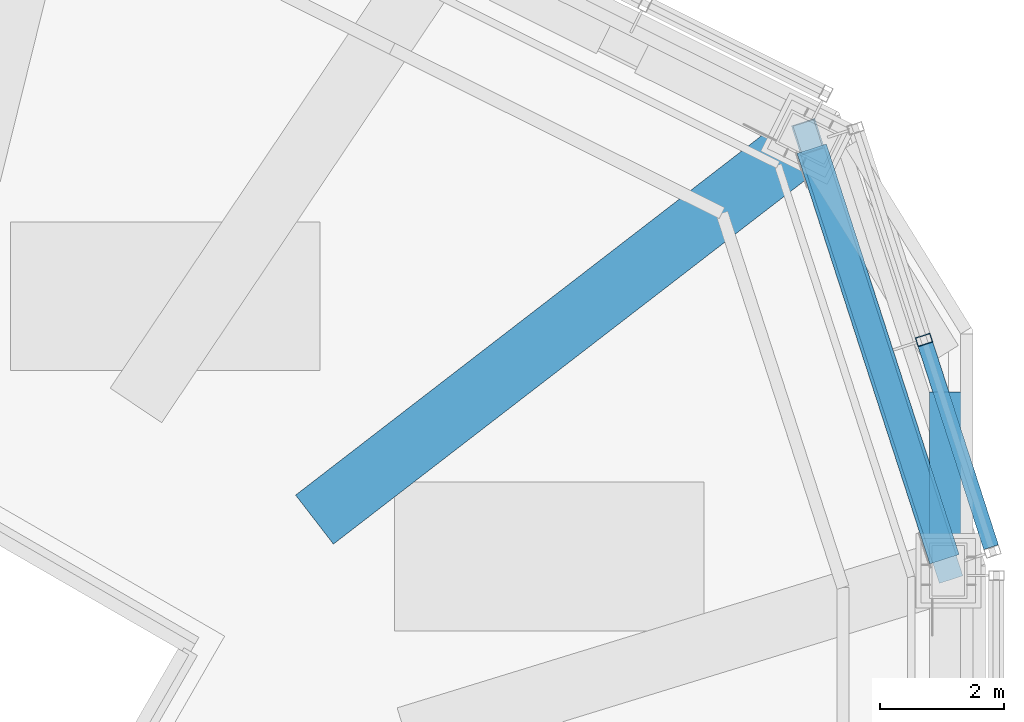
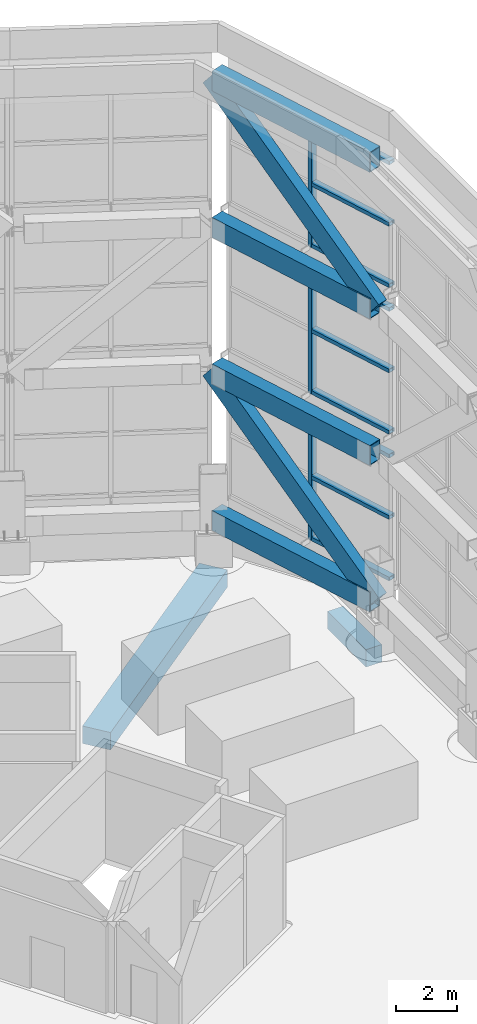
# One storey, part 11 of 46: 18 members, 2 beams, 3 elements without a shape of their own.
"""IFC4 building model written with IfcOpenShell, lengths in metres."""

from ifc_helpers import new_model, si_unit, direction, frame, origin, origin_2d, place, context, subcontext, project, spatial, rectangle, hollow_rectangle, extrude, material, material_profile, profile_set, type_object, element, aggregate, save


model = new_model("IFC4")

# Units and contexts
model_context = context("Model", 3, precision=1e-05, world=origin(), true_north=direction((0.0, 1.0)))
body_context = subcontext(model_context, "Body", "Model", "MODEL_VIEW")
ifc_project = project(units=[si_unit("LENGTHUNIT", "METRE"), si_unit("AREAUNIT", "SQUARE_METRE"), si_unit("VOLUMEUNIT", "CUBIC_METRE"), si_unit("PLANEANGLEUNIT", "RADIAN"), si_unit("MASSUNIT", "GRAM", prefix="KILO")], contexts=[model_context])

# Site, building, storey
site_placement = place(None, origin())
site = spatial("IfcSite", under=ifc_project, at=site_placement, CompositionType="ELEMENT")
building_placement = place(site_placement, origin())
building = spatial("IfcBuilding", under=site, at=building_placement, Name="Vanh Sen Convention Tower", CompositionType="ELEMENT")
storey_placement = place(building_placement, frame((0.0, 0.0, 305.0)))
storey = spatial("IfcBuildingStorey", under=building, at=storey_placement, Name="Roof level", CompositionType="ELEMENT", Elevation=305.0)

# Members
ifc_material_1 = material(Name="Steel S460", Category="steel")
ifc_material_profile_1 = material_profile(ifc_material_1, hollow_rectangle(XDim=0.39990234375, YDim=0.800048828125, WallThickness=0.02490234375, at=origin_2d()), Name="BOX 800X400X25")
ifc_profile_set_1 = profile_set([ifc_material_profile_1], Name="Steel S460")
member_type_1 = type_object("IfcMemberType", Name="Crown brace BOX 800X400X25", PredefinedType="BRACE", material=ifc_profile_set_1)
member_1_placement = place(storey_placement, frame((18.768798828125, 5.876708984375, 1.7451171875), z_axis=(-0.23939622484, 0.74014923244, 0.628385678744), x_axis=(-0.951468543738, -0.30774601586, 0.0)))
element("IfcMember", 1, at=member_1_placement, inside=storey, type_object=member_type_1, Name="CROWN FRAME brace tier 1 span 03", PredefinedType="BRACE", context=body_context, shape_type="SweptSolid", body=[
    extrude(hollow_rectangle(XDim=0.39990234375, YDim=0.800048828125, WallThickness=0.02490234375, at=origin_2d()), origin(), (0.0, 0.0, 1.0), 9.33837890625),
])
member_2_placement = place(storey_placement, frame((18.768798828125, 5.876708984375, 13.481689453125), z_axis=(-0.239392292003, 0.740137073156, 0.628401498621), x_axis=(-0.951468543738, -0.30774601586, 0.0)))
element("IfcMember", 2, at=member_2_placement, inside=storey, type_object=member_type_1, Name="CROWN FRAME brace tier 3 span 03", PredefinedType="BRACE", context=body_context, shape_type="SweptSolid", body=[
    extrude(hollow_rectangle(XDim=0.39990234375, YDim=0.800048828125, WallThickness=0.02490234375, at=origin_2d()), origin(), (0.0, 0.0, 1.0), 9.338623046875),
])
ifc_material_profile_2 = material_profile(ifc_material_1, hollow_rectangle(XDim=0.5, YDim=0.800048828125, WallThickness=0.030029296875, at=origin_2d()), Name="BOX 800X500X30")
ifc_profile_set_2 = profile_set([ifc_material_profile_2], Name="Steel S460")
member_type_2 = type_object("IfcMemberType", Name="Crown ring beam BOX 800X500X30", PredefinedType="CHORD", material=ifc_profile_set_2)
for number, where, z_axis, x_axis, name in (
    (3, (18.739501953125, 5.96728515625, 1.7451171875), (-0.307754054201, 0.951465943754, 0.0), (-0.951465943754, -0.307754054201, 0.0), "CROWN FRAME ring beam 1 span 03"),
    (4, (18.739501953125, 5.96728515625, 7.61328125), (-0.307754054201, 0.951465943754, 0.0), (-0.951465943754, -0.307754054201, 0.0), "CROWN FRAME ring beam 2 span 03"),
    (5, (18.739501953125, 5.96728515625, 13.481689453125), (-0.307754054201, 0.951465943754, 0.0), (-0.951465943754, -0.307754054201, 0.0), "CROWN FRAME ring beam 3 span 03"),
    (6, (18.739501953125, 5.96728515625, 19.35009765625), (-0.307754054201, 0.951465943754, 0.0), (-0.951465943754, -0.307754054201, 0.0), "CROWN FRAME ring beam 4 span 03"),
):
    element("IfcMember", number, at=place(storey_placement, frame(where, z_axis=z_axis, x_axis=x_axis)), inside=storey, type_object=member_type_2, Name=name, PredefinedType="CHORD", context=body_context, shape_type="SweptSolid", body=[
        extrude(hollow_rectangle(XDim=0.5, YDim=0.800048828125, WallThickness=0.030029296875, at=origin_2d()), origin(), (0.0, 0.0, 1.0), 6.96826171875),
    ])

# Curtain wall, member
ifc_material_2 = material(Name="Concrete C60/75", Category="concrete")
curtain_wall_type = type_object("IfcCurtainWallType", Name="Crown screen", PredefinedType="NOTDEFINED", material=ifc_material_2)
curtain_wall_1_placement = place(storey_placement, origin())
curtain_wall_1 = element("IfcCurtainWall", 7, at=curtain_wall_1_placement, inside=storey, type_object=curtain_wall_type, Name="CROWN SCREEN 03 tier 1", PredefinedType="NOTDEFINED")
ifc_material_3 = material(Name="Steel S355", Category="steel")
ifc_material_profile_3 = material_profile(ifc_material_3, hollow_rectangle(XDim=0.25, YDim=0.14990234375, WallThickness=0.008056640625, at=origin_2d()), Name="RHS 250X150X8")
ifc_profile_set_3 = profile_set([ifc_material_profile_3], Name="Steel S355")
member_type_3 = type_object("IfcMemberType", Name="Crown screen mullion RHS 250X150X8", PredefinedType="MULLION", material=ifc_profile_set_3)
member_3_placement = place(storey_placement, frame((18.40869140625, 9.508056640625, 2.14501953125), z_axis=(0.0, 0.0, 1.0), x_axis=(-0.951472815638, -0.307732807972, 0.0)))
member_3 = element("IfcMember", 8, at=member_3_placement, type_object=member_type_3, Name="CROWN SCREEN6 mullion 2", PredefinedType="MULLION", context=body_context, shape_type="SweptSolid", body=[
    extrude(hollow_rectangle(XDim=0.25, YDim=0.14990234375, WallThickness=0.008056640625, at=origin_2d()), origin(), (0.0, 0.0, 1.0), 5.068359375),
])

curtain_wall_2_placement = place(storey_placement, origin())
curtain_wall_2 = element("IfcCurtainWall", 9, at=curtain_wall_2_placement, inside=storey, type_object=curtain_wall_type, Name="CROWN SCREEN 03 tier 2", PredefinedType="NOTDEFINED")
member_4_placement = place(storey_placement, frame((18.40869140625, 9.508056640625, 8.01318359375), z_axis=(0.0, 0.0, 1.0), x_axis=(-0.951472815638, -0.307732807972, 0.0)))
member_4 = element("IfcMember", 10, at=member_4_placement, type_object=member_type_3, Name="CROWN SCREEN6 mullion 2", PredefinedType="MULLION", context=body_context, shape_type="SweptSolid", body=[
    extrude(hollow_rectangle(XDim=0.25, YDim=0.14990234375, WallThickness=0.008056640625, at=origin_2d()), origin(), (0.0, 0.0, 1.0), 5.068603515625),
])

curtain_wall_3_placement = place(storey_placement, origin())
curtain_wall_3 = element("IfcCurtainWall", 11, at=curtain_wall_3_placement, inside=storey, type_object=curtain_wall_type, Name="CROWN SCREEN 03 tier 3", PredefinedType="NOTDEFINED")
member_5_placement = place(storey_placement, frame((18.40869140625, 9.508056640625, 13.881591796875), z_axis=(0.0, 0.0, 1.0), x_axis=(-0.951472815638, -0.307732807972, 0.0)))
member_5 = element("IfcMember", 12, at=member_5_placement, type_object=member_type_3, Name="CROWN SCREEN6 mullion 2", PredefinedType="MULLION", context=body_context, shape_type="SweptSolid", body=[
    extrude(hollow_rectangle(XDim=0.25, YDim=0.14990234375, WallThickness=0.008056640625, at=origin_2d()), origin(), (0.0, 0.0, 1.0), 5.068359375),
])

# Member
ifc_material_profile_4 = material_profile(ifc_material_3, hollow_rectangle(XDim=0.25, YDim=0.14990234375, WallThickness=0.008056640625, at=origin_2d()), Name="RHS 250X150X8")
ifc_profile_set_4 = profile_set([ifc_material_profile_4], Name="Steel S355")
member_type_4 = type_object("IfcMemberType", Name="Crown screen transom RHS 250X150X8", PredefinedType="USERDEFINED", material=ifc_profile_set_4)
member_6_placement = place(storey_placement, frame((19.4912109375, 6.1611328125, 2.219970703125), z_axis=(-0.307705106916, 0.951481774485, 0.0), x_axis=(-0.951481774485, -0.307705106916, 0.0)))
member_6 = element("IfcMember", 13, at=member_6_placement, type_object=member_type_4, Name="CROWN SCREEN6 transom 1.1", ObjectType="TRANSOM", PredefinedType="USERDEFINED", context=body_context, shape_type="SweptSolid", body=[
    extrude(hollow_rectangle(XDim=0.25, YDim=0.14990234375, WallThickness=0.008056640625, at=origin_2d()), origin(), (0.0, 0.0, 1.0), 3.442626953125),
])

member_7_placement = place(storey_placement, frame((19.4912109375, 6.1611328125, 4.67919921875), z_axis=(-0.307705106916, 0.951481774485, 0.0), x_axis=(-0.951481774485, -0.307705106916, 0.0)))
member_7 = element("IfcMember", 14, at=member_7_placement, type_object=member_type_4, Name="CROWN SCREEN6 transom 1.2", ObjectType="TRANSOM", PredefinedType="USERDEFINED", context=body_context, shape_type="SweptSolid", body=[
    extrude(hollow_rectangle(XDim=0.25, YDim=0.14990234375, WallThickness=0.008056640625, at=origin_2d()), origin(), (0.0, 0.0, 1.0), 3.442626953125),
])

member_8_placement = place(storey_placement, frame((19.4912109375, 6.1611328125, 7.13818359375), z_axis=(-0.307705106916, 0.951481774485, 0.0), x_axis=(-0.951481774485, -0.307705106916, 0.0)))
member_8 = element("IfcMember", 15, at=member_8_placement, type_object=member_type_4, Name="CROWN SCREEN6 transom 1.3", ObjectType="TRANSOM", PredefinedType="USERDEFINED", context=body_context, shape_type="SweptSolid", body=[
    extrude(hollow_rectangle(XDim=0.25, YDim=0.14990234375, WallThickness=0.008056640625, at=origin_2d()), origin(), (0.0, 0.0, 1.0), 3.442626953125),
])

aggregate(curtain_wall_1, [member_3, member_6, member_7, member_8])

member_9_placement = place(storey_placement, frame((19.4912109375, 6.1611328125, 8.08837890625), z_axis=(-0.307705106916, 0.951481774485, 0.0), x_axis=(-0.951481774485, -0.307705106916, 0.0)))
member_9 = element("IfcMember", 16, at=member_9_placement, type_object=member_type_4, Name="CROWN SCREEN6 transom 1.1", ObjectType="TRANSOM", PredefinedType="USERDEFINED", context=body_context, shape_type="SweptSolid", body=[
    extrude(hollow_rectangle(XDim=0.25, YDim=0.14990234375, WallThickness=0.008056640625, at=origin_2d()), origin(), (0.0, 0.0, 1.0), 3.442626953125),
])

member_10_placement = place(storey_placement, frame((19.4912109375, 6.1611328125, 10.547607421875), z_axis=(-0.307705106916, 0.951481774485, 0.0), x_axis=(-0.951481774485, -0.307705106916, 0.0)))
member_10 = element("IfcMember", 17, at=member_10_placement, type_object=member_type_4, Name="CROWN SCREEN6 transom 1.2", ObjectType="TRANSOM", PredefinedType="USERDEFINED", context=body_context, shape_type="SweptSolid", body=[
    extrude(hollow_rectangle(XDim=0.25, YDim=0.14990234375, WallThickness=0.008056640625, at=origin_2d()), origin(), (0.0, 0.0, 1.0), 3.442626953125),
])

member_11_placement = place(storey_placement, frame((19.4912109375, 6.1611328125, 13.006591796875), z_axis=(-0.307705106916, 0.951481774485, 0.0), x_axis=(-0.951481774485, -0.307705106916, 0.0)))
member_11 = element("IfcMember", 18, at=member_11_placement, type_object=member_type_4, Name="CROWN SCREEN6 transom 1.3", ObjectType="TRANSOM", PredefinedType="USERDEFINED", context=body_context, shape_type="SweptSolid", body=[
    extrude(hollow_rectangle(XDim=0.25, YDim=0.14990234375, WallThickness=0.008056640625, at=origin_2d()), origin(), (0.0, 0.0, 1.0), 3.442626953125),
])

aggregate(curtain_wall_2, [member_4, member_9, member_10, member_11])

member_12_placement = place(storey_placement, frame((19.4912109375, 6.1611328125, 13.956787109375), z_axis=(-0.307705106916, 0.951481774485, 0.0), x_axis=(-0.951481774485, -0.307705106916, 0.0)))
member_12 = element("IfcMember", 19, at=member_12_placement, type_object=member_type_4, Name="CROWN SCREEN6 transom 1.1", ObjectType="TRANSOM", PredefinedType="USERDEFINED", context=body_context, shape_type="SweptSolid", body=[
    extrude(hollow_rectangle(XDim=0.25, YDim=0.14990234375, WallThickness=0.008056640625, at=origin_2d()), origin(), (0.0, 0.0, 1.0), 3.442626953125),
])

member_13_placement = place(storey_placement, frame((19.4912109375, 6.1611328125, 16.415771484375), z_axis=(-0.307705106916, 0.951481774485, 0.0), x_axis=(-0.951481774485, -0.307705106916, 0.0)))
member_13 = element("IfcMember", 20, at=member_13_placement, type_object=member_type_4, Name="CROWN SCREEN6 transom 1.2", ObjectType="TRANSOM", PredefinedType="USERDEFINED", context=body_context, shape_type="SweptSolid", body=[
    extrude(hollow_rectangle(XDim=0.25, YDim=0.14990234375, WallThickness=0.008056640625, at=origin_2d()), origin(), (0.0, 0.0, 1.0), 3.442626953125),
])

member_14_placement = place(storey_placement, frame((19.4912109375, 6.1611328125, 18.875), z_axis=(-0.307705106916, 0.951481774485, 0.0), x_axis=(-0.951481774485, -0.307705106916, 0.0)))
member_14 = element("IfcMember", 21, at=member_14_placement, type_object=member_type_4, Name="CROWN SCREEN6 transom 1.3", ObjectType="TRANSOM", PredefinedType="USERDEFINED", context=body_context, shape_type="SweptSolid", body=[
    extrude(hollow_rectangle(XDim=0.25, YDim=0.14990234375, WallThickness=0.008056640625, at=origin_2d()), origin(), (0.0, 0.0, 1.0), 3.442626953125),
])

aggregate(curtain_wall_3, [member_5, member_12, member_13, member_14])

# Beams
ifc_material_4 = material(Name="Concrete C50/60", Category="concrete")
ifc_material_profile_5 = material_profile(ifc_material_4, rectangle(XDim=1.0, YDim=0.699951171875, at=origin_2d()), Name="RC 1000X700")
ifc_profile_set_5 = profile_set([ifc_material_profile_5], Name="Concrete C50/60")
beam_type_1 = type_object("IfcBeamType", Name="Radial floor beam 1000 x 700", PredefinedType="BEAM", material=ifc_profile_set_5)
beam_1_placement = place(storey_placement, frame((16.54638671875, 12.76220703125, -0.64990234375), z_axis=(-0.791828112789, -0.610744005125, 0.0), x_axis=(0.610744005125, -0.791828112789, 0.0)))
element("IfcBeam", 22, at=beam_1_placement, inside=storey, type_object=beam_type_1, Name="Radial beam 04 Roof level", PredefinedType="BEAM", context=body_context, shape_type="SweptSolid", body=[
    extrude(rectangle(XDim=1.0, YDim=0.699951171875, at=origin_2d()), origin(), (0.0, 0.0, 1.0), 10.077880859375),
])
ifc_material_profile_6 = material_profile(ifc_material_4, rectangle(XDim=0.60009765625, YDim=0.699951171875, at=origin_2d()), Name="RC 600X700")
ifc_profile_set_6 = profile_set([ifc_material_profile_6], Name="Concrete C50/60")
beam_type_2 = type_object("IfcBeamType", Name="Spandrel beam 600 x 700", PredefinedType="SPANDREL", material=ifc_profile_set_6)
beam_2_placement = place(storey_placement, frame((18.800048828125, 6.125, -0.64990234375), z_axis=(0.0, 1.0, 0.0), x_axis=(-1.0, 0.0, 0.0)))
element("IfcBeam", 23, at=beam_2_placement, inside=storey, type_object=beam_type_2, Name="Spandrel beam 05 Roof level", PredefinedType="SPANDREL", context=body_context, shape_type="SweptSolid", body=[
    extrude(rectangle(XDim=0.60009765625, YDim=0.699951171875, at=origin_2d()), origin(), (0.0, 0.0, 1.0), 2.54150390625),
])

save(model, "model.ifc")
